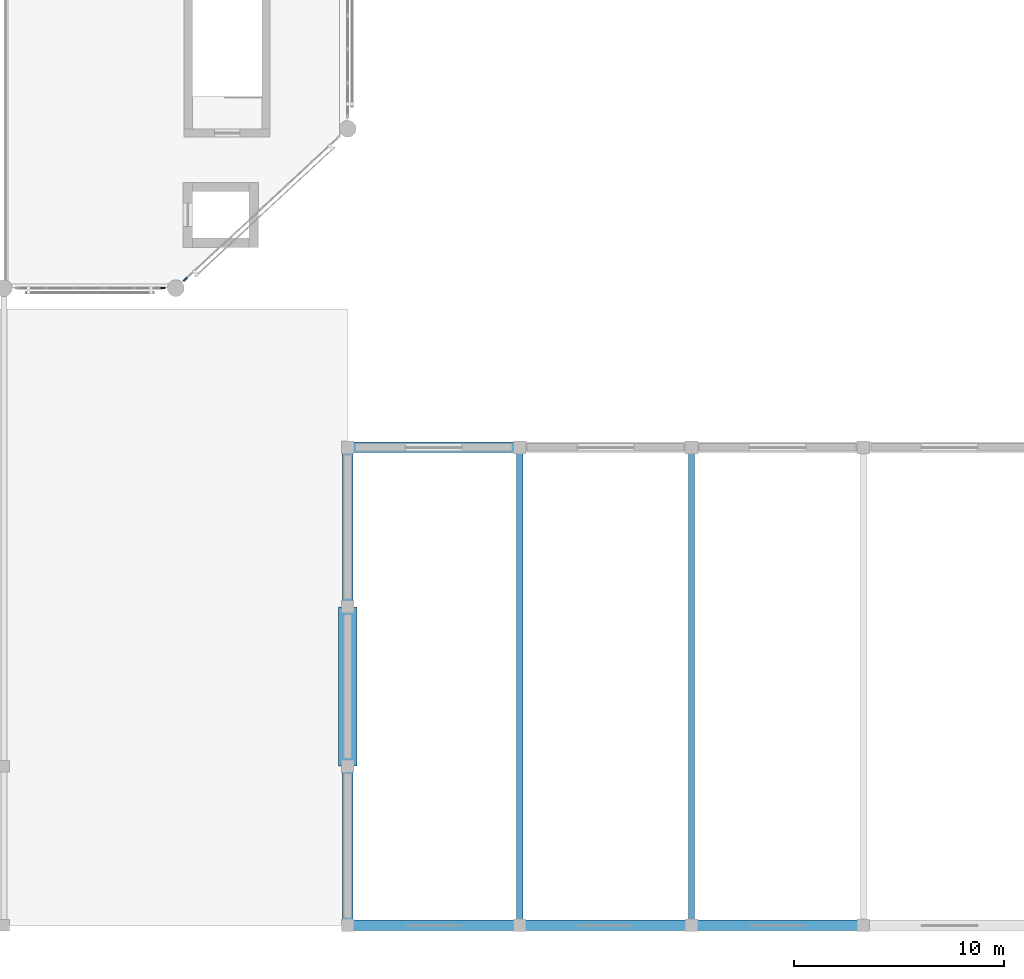
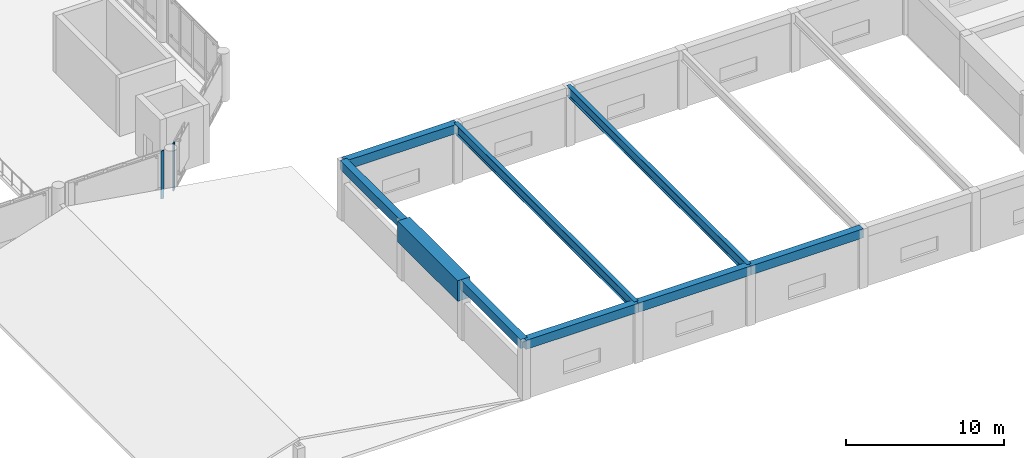
# One storey, part 3 of 49: 9 beams, 2 members, 2 elements without a shape of their own.
"""IFC4 building model written with IfcOpenShell, lengths in metres."""

from ifc_helpers import new_model, si_unit, direction, frame, origin, origin_2d, place, context, subcontext, project, spatial, rectangle, i_section, extrude, material, material_profile, profile_set, type_object, element, aggregate, save


model = new_model("IFC4")

# Units and contexts
model_context = context("Model", 3, precision=1e-05, world=origin(), true_north=direction((0.0, 1.0)))
body_context = subcontext(model_context, "Body", "Model", "MODEL_VIEW")
ifc_project = project(units=[si_unit("LENGTHUNIT", "METRE"), si_unit("AREAUNIT", "SQUARE_METRE"), si_unit("VOLUMEUNIT", "CUBIC_METRE"), si_unit("PLANEANGLEUNIT", "RADIAN"), si_unit("MASSUNIT", "GRAM", prefix="KILO")], contexts=[model_context])

# Site, building, storey
site_placement = place(None, origin())
site = spatial("IfcSite", under=ifc_project, at=site_placement, CompositionType="ELEMENT")
building_placement = place(site_placement, origin())
building = spatial("IfcBuilding", under=site, at=building_placement, Name="Qandaris Square Conservatory and Botanical Centre", CompositionType="ELEMENT")
storey_placement = place(building_placement, frame((0.0, 0.0, 10.199951171875)))
storey = spatial("IfcBuildingStorey", under=building, at=storey_placement, Name="L02", CompositionType="ELEMENT", Elevation=10.199951171875)

# Beams
ifc_material_1 = material(Name="Steel S355", Category="steel")
ifc_material_profile_1 = material_profile(ifc_material_1, i_section(OverallWidth=0.300048828125, OverallDepth=0.7900390625, WebThickness=0.014892578125, FlangeThickness=0.028076171875, FilletRadius=0.030029296875, at=origin_2d()), Name="HEA 800")
ifc_profile_set_1 = profile_set([ifc_material_profile_1], Name="Steel S355")
beam_type_1 = type_object("IfcBeamType", Name="Auditorium Main Roof Girder HEA 800", PredefinedType="BEAM", material=ifc_profile_set_1)
for number, where, z_axis, x_axis, name in (
    (1, (65.39990234375, 16.60009765625, 4.150146484375), (0.0, 1.0, 0.0), (-1.0, 0.0, 0.0), "Auditorium Roof Girder 8"),
    (2, (73.60009765625, 16.60009765625, 4.150146484375), (0.0, 1.0, 0.0), (-1.0, 0.0, 0.0), "Auditorium Roof Girder 9"),
):
    element("IfcBeam", number, at=place(storey_placement, frame(where, z_axis=z_axis, x_axis=x_axis)), inside=storey, type_object=beam_type_1, Name=name, PredefinedType="BEAM", context=body_context, shape_type="SweptSolid", body=[
        extrude(i_section(OverallWidth=0.300048828125, OverallDepth=0.7900390625, WebThickness=0.014892578125, FlangeThickness=0.028076171875, FilletRadius=0.030029296875, at=origin_2d()), origin(), (0.0, 0.0, 1.0), 22.7998046875),
    ])

# Curtain wall, member
ifc_material_2 = material(Name="Anodised Aluminium", Category="aluminium")
curtain_wall_type_1 = type_object("IfcCurtainWallType", Name="Unitised Curtain Wall CW-2-704x370", PredefinedType="USERDEFINED", material=ifc_material_2)
curtain_wall_1_placement = place(storey_placement, origin())
curtain_wall_1 = element("IfcCurtainWall", 3, at=curtain_wall_1_placement, inside=storey, type_object=curtain_wall_type_1, Name="Curtain Wall CW-CON-L02-1-3", ObjectType="GLAZED CURTAIN WALL", PredefinedType="USERDEFINED")
ifc_material_profile_2 = material_profile(ifc_material_2, rectangle(XDim=0.074951171875, YDim=0.219970703125, at=origin_2d()), Name="ALU-MUL 75x220")
ifc_profile_set_2 = profile_set([ifc_material_profile_2], Name="Anodised Aluminium")
member_type = type_object("IfcMemberType", Name="Conservatory Heavy Mullion 75x220", PredefinedType="MULLION", material=ifc_profile_set_2)
member_1_placement = place(storey_placement, frame((48.382568359375, 47.0, 0.0), z_axis=(0.0, 0.0, 1.0), x_axis=(0.0, 1.0, 0.0)))
member_1 = element("IfcMember", 4, at=member_1_placement, type_object=member_type, Name="CW-2-704x370 mullion 6", PredefinedType="MULLION", context=body_context, shape_type="SweptSolid", body=[
    extrude(rectangle(XDim=0.074951171875, YDim=0.219970703125, at=origin_2d()), origin(), (0.0, 0.0, 1.0), 3.699951171875),
])
aggregate(curtain_wall_1, [member_1])

curtain_wall_type_2 = type_object("IfcCurtainWallType", Name="Unitised Curtain Wall CW-2-1002x370", PredefinedType="USERDEFINED", material=ifc_material_2)
curtain_wall_2_placement = place(storey_placement, origin())
curtain_wall_2 = element("IfcCurtainWall", 5, at=curtain_wall_2_placement, inside=storey, type_object=curtain_wall_type_2, Name="Curtain Wall CW-CON-L02-2-1", ObjectType="GLAZED CURTAIN WALL", PredefinedType="USERDEFINED")
member_2_placement = place(storey_placement, frame((49.452880859375, 47.419677734375, 0.0), z_axis=(0.0, 0.0, 1.0), x_axis=(-0.679761784592, 0.733432966404, 0.0)))
member_2 = element("IfcMember", 6, at=member_2_placement, type_object=member_type, Name="CW-2-1002x370 mullion 1", PredefinedType="MULLION", context=body_context, shape_type="SweptSolid", body=[
    extrude(rectangle(XDim=0.074951171875, YDim=0.219970703125, at=origin_2d()), origin(), (0.0, 0.0, 1.0), 3.699951171875),
])
aggregate(curtain_wall_2, [member_2])

# Beams
ifc_material_3 = material(Name="Concrete C50/60", Category="concrete")
ifc_material_profile_3 = material_profile(ifc_material_3, rectangle(XDim=0.5, YDim=0.699951171875, at=origin_2d()), Name="RC-BM 500x700")
ifc_profile_set_3 = profile_set([ifc_material_profile_3], Name="Concrete C50/60")
beam_type_2 = type_object("IfcBeamType", Name="RC Floor Girder 500x700", PredefinedType="BEAM", material=ifc_profile_set_3)
beam_1_placement = place(storey_placement, frame((57.199951171875, 16.60009765625, 4.195068359375), z_axis=(1.0, 0.0, 0.0), x_axis=(0.0, 1.0, 0.0)))
element("IfcBeam", 7, at=beam_1_placement, inside=storey, type_object=beam_type_2, Name="L02 Frame Beam 1289", PredefinedType="BEAM", context=body_context, shape_type="SweptSolid", body=[
    extrude(rectangle(XDim=0.5, YDim=0.699951171875, at=origin_2d()), origin(), (0.0, 0.0, 1.0), 8.199951171875),
])
beam_2_placement = place(storey_placement, frame((65.39990234375, 16.60009765625, 4.195068359375), z_axis=(1.0, 0.0, 0.0), x_axis=(0.0, 1.0, 0.0)))
element("IfcBeam", 8, at=beam_2_placement, inside=storey, type_object=beam_type_2, Name="L02 Frame Beam 1290", PredefinedType="BEAM", context=body_context, shape_type="SweptSolid", body=[
    extrude(rectangle(XDim=0.5, YDim=0.699951171875, at=origin_2d()), origin(), (0.0, 0.0, 1.0), 8.2001953125),
])
for number, where, z_axis, x_axis, name in (
    (9, (73.60009765625, 16.60009765625, 4.195068359375), (1.0, 0.0, 0.0), (0.0, 1.0, 0.0), "L02 Frame Beam 1291"),
    (10, (57.199951171875, 39.39990234375, 4.195068359375), (1.0, 0.0, 0.0), (0.0, 1.0, 0.0), "L02 Frame Beam 1317"),
):
    element("IfcBeam", number, at=place(storey_placement, frame(where, z_axis=z_axis, x_axis=x_axis)), inside=storey, type_object=beam_type_2, Name=name, PredefinedType="BEAM", context=body_context, shape_type="SweptSolid", body=[
        extrude(rectangle(XDim=0.5, YDim=0.699951171875, at=origin_2d()), origin(), (0.0, 0.0, 1.0), 8.199951171875),
    ])
for number, where, z_axis, x_axis, name in (
    (11, (57.199951171875, 16.60009765625, 4.195068359375), (0.0, 1.0, 0.0), (-1.0, 0.0, 0.0), "L02 Frame Beam 1377"),
    (12, (57.199951171875, 31.800048828125, 4.195068359375), (0.0, 1.0, 0.0), (-1.0, 0.0, 0.0), "L02 Frame Beam 1378"),
):
    element("IfcBeam", number, at=place(storey_placement, frame(where, z_axis=z_axis, x_axis=x_axis)), inside=storey, type_object=beam_type_2, Name=name, PredefinedType="BEAM", context=body_context, shape_type="SweptSolid", body=[
        extrude(rectangle(XDim=0.5, YDim=0.699951171875, at=origin_2d()), origin(), (0.0, 0.0, 1.0), 7.599853515625),
    ])
ifc_material_profile_4 = material_profile(ifc_material_3, rectangle(XDim=0.89990234375, YDim=1.60009765625, at=origin_2d()), Name="RC-TG 900x1600")
ifc_profile_set_4 = profile_set([ifc_material_profile_4], Name="Concrete C50/60")
beam_type_3 = type_object("IfcBeamType", Name="Transfer Girder TG1 900x1600", PredefinedType="BEAM", material=ifc_profile_set_4)
beam_3_placement = place(storey_placement, frame((57.199951171875, 24.199951171875, 3.7451171875), z_axis=(0.0, 1.0, 0.0), x_axis=(-1.0, 0.0, 0.0)))
element("IfcBeam", 13, at=beam_3_placement, inside=storey, type_object=beam_type_3, Name="Auditorium Gable Transfer Girder 7", PredefinedType="BEAM", context=body_context, shape_type="SweptSolid", body=[
    extrude(rectangle(XDim=0.89990234375, YDim=1.60009765625, at=origin_2d()), origin(), (0.0, 0.0, 1.0), 7.60009765625),
])

save(model, "model.ifc")
